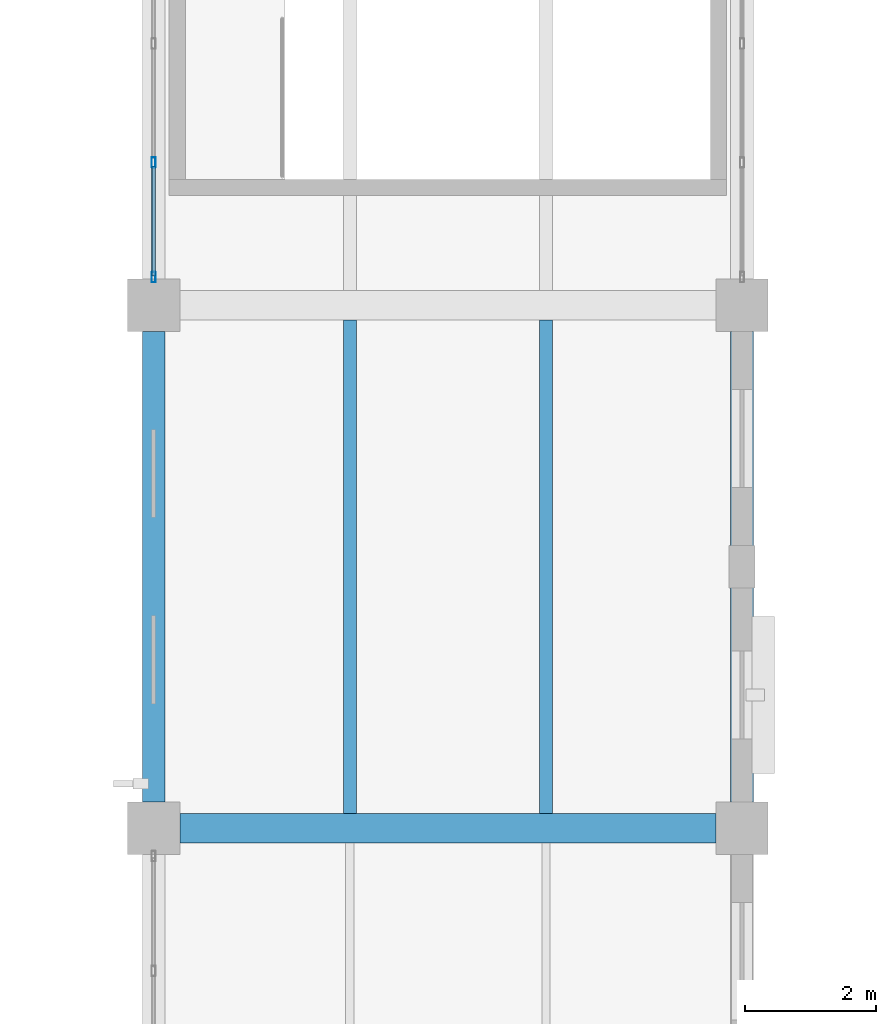
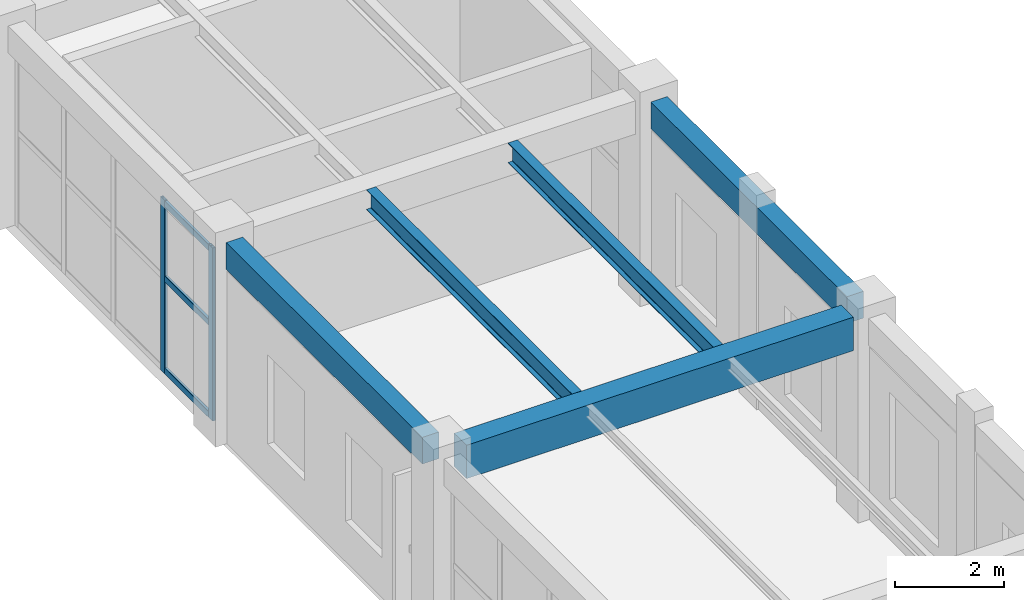
# One storey, part 63 of 178: 5 beams, 5 members, 1 element without a shape of its own.
"""IFC4 building model written with IfcOpenShell, lengths in metres."""

from ifc_helpers import new_model, si_unit, derived_unit, direction, frame, origin, origin_2d, place, context, subcontext, project, spatial, rectangle, hollow_rectangle, i_section, extrude, material, material_profile, profile_set, type_object, element, aggregate, save


model = new_model("IFC4")

# Units and contexts
model_context = context("Model", 3, precision=1e-05, world=origin(), true_north=direction((0.0, 1.0)))
body_context = subcontext(model_context, "Body", "Model", "MODEL_VIEW")
ifc_project = project(units=[si_unit("LENGTHUNIT", "METRE"), si_unit("AREAUNIT", "SQUARE_METRE"), si_unit("VOLUMEUNIT", "CUBIC_METRE"), si_unit("PLANEANGLEUNIT", "RADIAN"), si_unit("MASSUNIT", "GRAM", prefix="KILO"), derived_unit("THERMALTRANSMITTANCEUNIT", [(si_unit("MASSUNIT", "GRAM", prefix="KILO"), 1), (si_unit("TIMEUNIT", "SECOND"), -3), (si_unit("THERMODYNAMICTEMPERATUREUNIT", "KELVIN"), -1)])], contexts=[model_context])

# Site, building, storey
site_placement = place(None, origin())
site = spatial("IfcSite", under=ifc_project, at=site_placement, CompositionType="ELEMENT")
building_placement = place(site_placement, origin())
building = spatial("IfcBuilding", under=site, at=building_placement, Name="Zhenchuan Archway Interchange", CompositionType="ELEMENT")
storey_placement = place(building_placement, frame((0.0, 0.0, 5.39990234375)))
storey = spatial("IfcBuildingStorey", under=building, at=storey_placement, Name="L01", CompositionType="ELEMENT", Elevation=5.39990234375)

# Beam
ifc_material_1 = material(Name="Concrete C40", Category="concrete")
ifc_material_profile_1 = material_profile(ifc_material_1, rectangle(XDim=0.449951171875, YDim=0.75, at=origin_2d()), Name="RC 450x750")
ifc_profile_set_1 = profile_set([ifc_material_profile_1], Name="Concrete C40")
beam_type_1 = type_object("IfcBeamType", Name="BM_RC_450x750", PredefinedType="BEAM", material=ifc_profile_set_1)
beam_placement = place(storey_placement, frame((99.39990234375, 32.0, 4.135009765625), z_axis=(1.0, 0.0, 0.0), x_axis=(0.0, 1.0, 0.0)))
element("IfcBeam", 1, at=beam_placement, inside=storey, type_object=beam_type_1, Name="Beam E:12-13 (L01)", PredefinedType="BEAM", context=body_context, shape_type="SweptSolid", body=[
    extrude(rectangle(XDim=0.449951171875, YDim=0.75, at=origin_2d()), origin(), (0.0, 0.0, 1.0), 8.2001953125),
])

# Curtain wall, members
ifc_material_2 = material(Name="Anodised Aluminium", Category="aluminium")
curtain_wall_type = type_object("IfcCurtainWallType", Name="CW_UNIT_3", PredefinedType="NOTDEFINED", material=ifc_material_2)
curtain_wall_placement = place(storey_placement, origin())
curtain_wall = element("IfcCurtainWall", 2, at=curtain_wall_placement, inside=storey, type_object=curtain_wall_type, Name="Unitised curtain wall CW:L01:074", PredefinedType="NOTDEFINED")
ifc_material_profile_2 = material_profile(ifc_material_2, hollow_rectangle(XDim=0.06005859375, YDim=0.159912109375, WallThickness=0.00390625, InnerFilletRadius=0.00390625, OuterFilletRadius=0.008056640625, at=origin_2d()), Name="ALU 160x60x4")
ifc_profile_set_2 = profile_set([ifc_material_profile_2], Name="Anodised Aluminium")
member_type_1 = type_object("IfcMemberType", Name="CW_MUL_150", PredefinedType="MULLION", material=ifc_profile_set_2)
member_1_placement = place(storey_placement, frame((99.0, 40.427978515625, 0.0), z_axis=(0.0, 0.0, 1.0), x_axis=(1.0, 0.0, 0.0)))
member_1 = element("IfcMember", 3, at=member_1_placement, type_object=member_type_1, Name="CW:L01:074 mullion 0", PredefinedType="MULLION", context=body_context, shape_type="SweptSolid", body=[
    extrude(hollow_rectangle(XDim=0.06005859375, YDim=0.159912109375, WallThickness=0.00390625, InnerFilletRadius=0.00390625, OuterFilletRadius=0.008056640625, at=origin_2d()), origin(), (0.0, 0.0, 1.0), 3.880126953125),
])
member_2_placement = place(storey_placement, frame((99.0, 42.18408203125, 0.0), z_axis=(0.0, 0.0, 1.0), x_axis=(1.0, 0.0, 0.0)))
member_2 = element("IfcMember", 4, at=member_2_placement, type_object=member_type_1, Name="CW:L01:074 mullion 1", PredefinedType="MULLION", context=body_context, shape_type="SweptSolid", body=[
    extrude(hollow_rectangle(XDim=0.06005859375, YDim=0.159912109375, WallThickness=0.00390625, InnerFilletRadius=0.00390625, OuterFilletRadius=0.008056640625, at=origin_2d()), origin(), (0.0, 0.0, 1.0), 3.880126953125),
])
ifc_material_profile_3 = material_profile(ifc_material_2, hollow_rectangle(XDim=0.06005859375, YDim=0.139892578125, WallThickness=0.00341796875, InnerFilletRadius=0.00341796875, OuterFilletRadius=0.007080078125, at=origin_2d()), Name="ALU 140x60x3.5")
ifc_profile_set_3 = profile_set([ifc_material_profile_3], Name="Anodised Aluminium")
member_type_2 = type_object("IfcMemberType", Name="CW_TRN_140", PredefinedType="USERDEFINED", material=ifc_profile_set_3)
member_3_placement = place(storey_placement, frame((99.0, 40.447998046875, 0.06005859375), z_axis=(0.0, 1.0, 0.0), x_axis=(-1.0, 0.0, 0.0)))
member_3 = element("IfcMember", 5, at=member_3_placement, type_object=member_type_2, Name="CW:L01:074 transom 0-1", ObjectType="TRANSOM", PredefinedType="USERDEFINED", context=body_context, shape_type="SweptSolid", body=[
    extrude(hollow_rectangle(XDim=0.06005859375, YDim=0.139892578125, WallThickness=0.00341796875, InnerFilletRadius=0.00341796875, OuterFilletRadius=0.007080078125, at=origin_2d()), origin(), (0.0, 0.0, 1.0), 1.676025390625),
])
member_4_placement = place(storey_placement, frame((99.0, 40.447998046875, 2.123046875), z_axis=(0.0, 1.0, 0.0), x_axis=(-1.0, 0.0, 0.0)))
member_4 = element("IfcMember", 6, at=member_4_placement, type_object=member_type_2, Name="CW:L01:074 transom 0-2", ObjectType="TRANSOM", PredefinedType="USERDEFINED", context=body_context, shape_type="SweptSolid", body=[
    extrude(hollow_rectangle(XDim=0.06005859375, YDim=0.139892578125, WallThickness=0.00341796875, InnerFilletRadius=0.00341796875, OuterFilletRadius=0.007080078125, at=origin_2d()), origin(), (0.0, 0.0, 1.0), 1.676025390625),
])
member_5_placement = place(storey_placement, frame((99.0, 40.447998046875, 3.800048828125), z_axis=(0.0, 1.0, 0.0), x_axis=(-1.0, 0.0, 0.0)))
member_5 = element("IfcMember", 7, at=member_5_placement, type_object=member_type_2, Name="CW:L01:074 transom 0-3", ObjectType="TRANSOM", PredefinedType="USERDEFINED", context=body_context, shape_type="SweptSolid", body=[
    extrude(hollow_rectangle(XDim=0.06005859375, YDim=0.139892578125, WallThickness=0.00341796875, InnerFilletRadius=0.00341796875, OuterFilletRadius=0.007080078125, at=origin_2d()), origin(), (0.0, 0.0, 1.0), 1.676025390625),
])
aggregate(curtain_wall, [member_1, member_2, member_3, member_4, member_5])

# Beams
ifc_material_3 = material(Name="Steel Q355", Category="steel")
ifc_material_profile_4 = material_profile(ifc_material_3, i_section(OverallWidth=0.199951171875, OverallDepth=0.449951171875, WebThickness=0.009033203125, FlangeThickness=0.013916015625, FilletRadius=0.01806640625, at=origin_2d()), Name="HN 450x200")
ifc_profile_set_4 = profile_set([ifc_material_profile_4], Name="Steel Q355")
beam_type_2 = type_object("IfcBeamType", Name="JST_STL_HN450", PredefinedType="JOIST", material=ifc_profile_set_4)
for number, where, z_axis, x_axis, name in (
    (8, (102.0, 32.22509765625, 4.28515625), (0.0, 1.0, 0.0), (-1.0, 0.0, 0.0), "Secondary joist 12-13/E-F #1 (L01)"),
    (9, (105.0, 32.22509765625, 4.28515625), (0.0, 1.0, 0.0), (-1.0, 0.0, 0.0), "Secondary joist 12-13/E-F #2 (L01)"),
):
    element("IfcBeam", number, at=place(storey_placement, frame(where, z_axis=z_axis, x_axis=x_axis)), inside=storey, type_object=beam_type_2, Name=name, PredefinedType="JOIST", context=body_context, shape_type="SweptSolid", body=[
        extrude(i_section(OverallWidth=0.199951171875, OverallDepth=0.449951171875, WebThickness=0.009033203125, FlangeThickness=0.013916015625, FilletRadius=0.01806640625, at=origin_2d()), origin(), (0.0, 0.0, 1.0), 7.5498046875),
    ])
ifc_material_profile_5 = material_profile(ifc_material_1, rectangle(XDim=0.35009765625, YDim=0.60009765625, at=origin_2d()), Name="RC 350x600")
ifc_profile_set_5 = profile_set([ifc_material_profile_5], Name="Concrete C40")
beam_type_3 = type_object("IfcBeamType", Name="SP_RC_350x600", PredefinedType="SPANDREL", material=ifc_profile_set_5)
for number, where, z_axis, x_axis, name in (
    (10, (99.0, 32.39990234375, 4.210205078125), (0.0, 1.0, 0.0), (-1.0, 0.0, 0.0), "Beam 12:E-F (L01)"),
    (11, (108.0, 32.39990234375, 4.210205078125), (0.0, 1.0, 0.0), (-1.0, 0.0, 0.0), "Beam 13:E-F (L01)"),
):
    element("IfcBeam", number, at=place(storey_placement, frame(where, z_axis=z_axis, x_axis=x_axis)), inside=storey, type_object=beam_type_3, Name=name, PredefinedType="SPANDREL", context=body_context, shape_type="SweptSolid", body=[
        extrude(rectangle(XDim=0.35009765625, YDim=0.60009765625, at=origin_2d()), origin(), (0.0, 0.0, 1.0), 7.2001953125),
    ])

save(model, "model.ifc")
